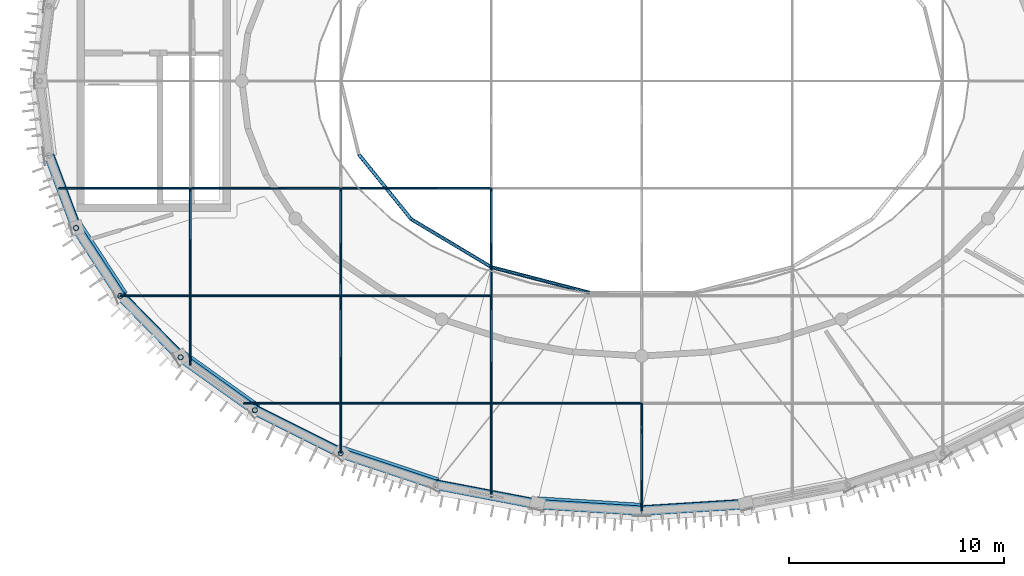
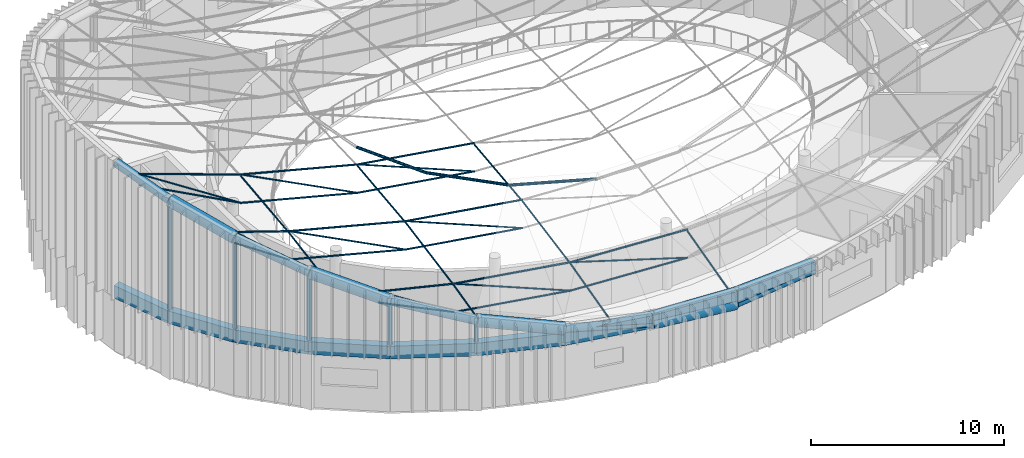
# One storey, part 4 of 36: 53 members, 9 beams.
"""IFC4 building model written with IfcOpenShell, lengths in metres."""

from ifc_helpers import new_model, si_unit, direction, frame, origin, origin_2d, place, context, subcontext, project, spatial, hollow_rectangle, circle, hollow_circle, extrude, material, material_profile, profile_set, type_object, element, save


model = new_model("IFC4")

# Units and contexts
model_context = context("Model", 3, precision=1e-05, world=origin(), true_north=direction((0.0, 1.0)))
body_context = subcontext(model_context, "Body", "Model", "MODEL_VIEW")
ifc_project = project(units=[si_unit("LENGTHUNIT", "METRE"), si_unit("AREAUNIT", "SQUARE_METRE"), si_unit("VOLUMEUNIT", "CUBIC_METRE"), si_unit("PLANEANGLEUNIT", "RADIAN"), si_unit("MASSUNIT", "GRAM", prefix="KILO")], contexts=[model_context])

# Site, building, storey
site_placement = place(None, origin())
site = spatial("IfcSite", under=ifc_project, at=site_placement, CompositionType="ELEMENT")
building_placement = place(site_placement, origin())
building = spatial("IfcBuilding", under=site, at=building_placement, Name="Tarnveldt Headland Concert Hall", CompositionType="ELEMENT")
storey_placement = place(building_placement, frame((0.0, 0.0, 22.800048828125)))
storey = spatial("IfcBuildingStorey", under=building, at=storey_placement, Name="L05", CompositionType="ELEMENT", Elevation=22.800048828125)

# Members
ifc_material = material(Name="Steel S355", Category="steel")
ifc_material_profile_1 = material_profile(ifc_material, circle(Radius=0.0458984375, at=origin_2d()), Name="LC D92", Category="steel")
ifc_profile_set_1 = profile_set([ifc_material_profile_1], Name="Steel S355")
member_type_1 = type_object("IfcMemberType", Name="CB-HOG92", PredefinedType="USERDEFINED", material=ifc_profile_set_1)
member_1_placement = place(storey_placement, frame((62.5, 41.271240234375, 8.510009765625), z_axis=(0.0, 0.985161412941, 0.171630389067), x_axis=(-1.0, 0.0, 0.0)))
element("IfcMember", 1, at=member_1_placement, inside=storey, type_object=member_type_1, Name="ROOF TRUSS CABLE prestress chord 53", ObjectType="CABLE", PredefinedType="USERDEFINED", context=body_context, shape_type="SweptSolid", body=[
    extrude(circle(Radius=0.0458984375, at=origin_2d()), origin(), (0.0, 0.0, 1.0), 3.27734375),
])
member_2_placement = place(storey_placement, frame((62.5, 44.5, 9.072509765625), z_axis=(0.0, 0.993731316159, 0.111794773068), x_axis=(-1.0, 0.0, 0.0)))
element("IfcMember", 2, at=member_2_placement, inside=storey, type_object=member_type_1, Name="ROOF TRUSS CABLE prestress chord 54", ObjectType="CABLE", PredefinedType="USERDEFINED", context=body_context, shape_type="SweptSolid", body=[
    extrude(circle(Radius=0.0458984375, at=origin_2d()), origin(), (0.0, 0.0, 1.0), 5.031494140625),
])
member_3_placement = place(storey_placement, frame((69.5, 37.179443359375, 5.760009765625), z_axis=(0.0, 0.971855780858, 0.235576614318), x_axis=(-1.0, 0.0, 0.0)))
element("IfcMember", 3, at=member_3_placement, inside=storey, type_object=member_type_1, Name="ROOF TRUSS CABLE prestress chord 59", ObjectType="CABLE", PredefinedType="USERDEFINED", context=body_context, shape_type="SweptSolid", body=[
    extrude(circle(Radius=0.0458984375, at=origin_2d()), origin(), (0.0, 0.0, 1.0), 2.3876953125),
])
member_4_placement = place(storey_placement, frame((69.5, 39.5, 6.322509765625), z_axis=(0.0, 0.982872186934, 0.18428853505), x_axis=(-1.0, 0.0, 0.0)))
element("IfcMember", 4, at=member_4_placement, inside=storey, type_object=member_type_1, Name="ROOF TRUSS CABLE prestress chord 60", ObjectType="CABLE", PredefinedType="USERDEFINED", context=body_context, shape_type="SweptSolid", body=[
    extrude(circle(Radius=0.0458984375, at=origin_2d()), origin(), (0.0, 0.0, 1.0), 5.087158203125),
])
member_5_placement = place(storey_placement, frame((69.5, 44.5, 7.260009765625), z_axis=(0.0, 0.993731316159, 0.111794773068), x_axis=(-1.0, 0.0, 0.0)))
element("IfcMember", 5, at=member_5_placement, inside=storey, type_object=member_type_1, Name="ROOF TRUSS CABLE prestress chord 61", ObjectType="CABLE", PredefinedType="USERDEFINED", context=body_context, shape_type="SweptSolid", body=[
    extrude(circle(Radius=0.0458984375, at=origin_2d()), origin(), (0.0, 0.0, 1.0), 5.031494140625),
])
member_6_placement = place(storey_placement, frame((76.5, 35.135009765625, 4.10986328125), z_axis=(0.0, 0.968355058126, 0.249576604276), x_axis=(-1.0, 0.0, 0.0)))
element("IfcMember", 6, at=member_6_placement, inside=storey, type_object=member_type_1, Name="ROOF TRUSS CABLE prestress chord 67", ObjectType="CABLE", PredefinedType="USERDEFINED", context=body_context, shape_type="SweptSolid", body=[
    extrude(circle(Radius=0.0458984375, at=origin_2d()), origin(), (0.0, 0.0, 1.0), 4.507568359375),
])
member_7_placement = place(storey_placement, frame((76.5, 39.5, 5.23486328125), z_axis=(0.0, 0.982872186934, 0.18428853505), x_axis=(-1.0, 0.0, 0.0)))
element("IfcMember", 7, at=member_7_placement, inside=storey, type_object=member_type_1, Name="ROOF TRUSS CABLE prestress chord 68", ObjectType="CABLE", PredefinedType="USERDEFINED", context=body_context, shape_type="SweptSolid", body=[
    extrude(circle(Radius=0.0458984375, at=origin_2d()), origin(), (0.0, 0.0, 1.0), 5.087158203125),
])
member_8_placement = place(storey_placement, frame((76.5, 44.5, 6.17236328125), z_axis=(0.0, 0.993731316159, 0.111794773068), x_axis=(-1.0, 0.0, 0.0)))
element("IfcMember", 8, at=member_8_placement, inside=storey, type_object=member_type_1, Name="ROOF TRUSS CABLE prestress chord 69", ObjectType="CABLE", PredefinedType="USERDEFINED", context=body_context, shape_type="SweptSolid", body=[
    extrude(circle(Radius=0.0458984375, at=origin_2d()), origin(), (0.0, 0.0, 1.0), 5.031494140625),
])
member_9_placement = place(storey_placement, frame((83.5, 34.5, 3.56005859375), z_axis=(0.0, 0.967230965379, 0.253898128412), x_axis=(-1.0, 0.0, 0.0)))
element("IfcMember", 9, at=member_9_placement, inside=storey, type_object=member_type_1, Name="ROOF TRUSS CABLE prestress chord 75", ObjectType="CABLE", PredefinedType="USERDEFINED", context=body_context, shape_type="SweptSolid", body=[
    extrude(circle(Radius=0.0458984375, at=origin_2d()), origin(), (0.0, 0.0, 1.0), 5.16943359375),
])
ifc_material_profile_2 = material_profile(ifc_material, circle(Radius=0.053955078125, at=origin_2d()), Name="LC D108", Category="steel")
ifc_profile_set_2 = profile_set([ifc_material_profile_2], Name="Steel S355")
member_type_2 = type_object("IfcMemberType", Name="CB-SAG108", PredefinedType="USERDEFINED", material=ifc_profile_set_2)
member_10_placement = place(storey_placement, frame((56.38916015625, 49.5, 11.909912109375), z_axis=(0.942102430183, 0.0, -0.335325231742), x_axis=(0.0, 1.0, 0.0)))
element("IfcMember", 10, at=member_10_placement, inside=storey, type_object=member_type_2, Name="ROOF TRUSS CABLE sag chord 15", ObjectType="CABLE", PredefinedType="USERDEFINED", context=body_context, shape_type="SweptSolid", body=[
    extrude(circle(Radius=0.053955078125, at=origin_2d()), origin(), (0.0, 0.0, 1.0), 6.486328125),
])
member_11_placement = place(storey_placement, frame((62.5, 49.5, 9.73486328125), z_axis=(0.968074621179, 0.0, -0.250662178698), x_axis=(0.0, 1.0, 0.0)))
element("IfcMember", 11, at=member_11_placement, inside=storey, type_object=member_type_2, Name="ROOF TRUSS CABLE sag chord 16", ObjectType="CABLE", PredefinedType="USERDEFINED", context=body_context, shape_type="SweptSolid", body=[
    extrude(circle(Radius=0.053955078125, at=origin_2d()), origin(), (0.0, 0.0, 1.0), 7.23095703125),
])
member_12_placement = place(storey_placement, frame((69.5, 49.5, 7.92236328125), z_axis=(0.988148319322, 0.0, -0.153502114058), x_axis=(0.0, 1.0, 0.0)))
element("IfcMember", 12, at=member_12_placement, inside=storey, type_object=member_type_2, Name="ROOF TRUSS CABLE sag chord 17", ObjectType="CABLE", PredefinedType="USERDEFINED", context=body_context, shape_type="SweptSolid", body=[
    extrude(circle(Radius=0.053955078125, at=origin_2d()), origin(), (0.0, 0.0, 1.0), 7.083984375),
])
ifc_material_profile_3 = material_profile(ifc_material, circle(Radius=0.031982421875, at=origin_2d()), Name="LC D64", Category="steel")
ifc_profile_set_3 = profile_set([ifc_material_profile_3], Name="Steel S355")
member_type_3 = type_object("IfcMemberType", Name="CB-STAY64", PredefinedType="USERDEFINED", material=ifc_profile_set_3)
member_13_placement = place(storey_placement, frame((64.979736328125, 39.5, 7.510009765625), z_axis=(0.84273813245, 0.0, -0.538323731703), x_axis=(0.0, 1.0, 0.0)))
element("IfcMember", 13, at=member_13_placement, inside=storey, type_object=member_type_3, Name="ROOF TRUSS CABLE diagonal 1", ObjectType="CABLE", PredefinedType="USERDEFINED", context=body_context, shape_type="SweptSolid", body=[
    extrude(circle(Radius=0.031982421875, at=origin_2d()), origin(), (0.0, 0.0, 1.0), 5.36376953125),
])
member_14_placement = place(storey_placement, frame((69.5, 39.5, 6.42236328125), z_axis=(0.924440874248, 0.0, -0.381325412239), x_axis=(0.0, 1.0, 0.0)))
element("IfcMember", 14, at=member_14_placement, inside=storey, type_object=member_type_3, Name="ROOF TRUSS CABLE diagonal 2", ObjectType="CABLE", PredefinedType="USERDEFINED", context=body_context, shape_type="SweptSolid", body=[
    extrude(circle(Radius=0.031982421875, at=origin_2d()), origin(), (0.0, 0.0, 1.0), 7.572265625),
])
member_15_placement = place(storey_placement, frame((76.5, 39.5, 5.3349609375), z_axis=(0.955442632118, 0.0, -0.2951768567), x_axis=(0.0, 1.0, 0.0)))
element("IfcMember", 15, at=member_15_placement, inside=storey, type_object=member_type_3, Name="ROOF TRUSS CABLE diagonal 3", ObjectType="CABLE", PredefinedType="USERDEFINED", context=body_context, shape_type="SweptSolid", body=[
    extrude(circle(Radius=0.031982421875, at=origin_2d()), origin(), (0.0, 0.0, 1.0), 7.326416015625),
])
member_16_placement = place(storey_placement, frame((59.251220703125, 44.5, 10.260009765625), z_axis=(0.747449604511, 0.0, -0.664318514507), x_axis=(0.0, 1.0, 0.0)))
element("IfcMember", 16, at=member_16_placement, inside=storey, type_object=member_type_3, Name="ROOF TRUSS CABLE diagonal 7", ObjectType="CABLE", PredefinedType="USERDEFINED", context=body_context, shape_type="SweptSolid", body=[
    extrude(circle(Radius=0.031982421875, at=origin_2d()), origin(), (0.0, 0.0, 1.0), 4.346435546875),
])
member_17_placement = place(storey_placement, frame((62.5, 44.5, 9.17236328125), z_axis=(0.888651623271, 0.0, -0.458582917757), x_axis=(0.0, 1.0, 0.0)))
element("IfcMember", 17, at=member_17_placement, inside=storey, type_object=member_type_3, Name="ROOF TRUSS CABLE diagonal 8", ObjectType="CABLE", PredefinedType="USERDEFINED", context=body_context, shape_type="SweptSolid", body=[
    extrude(circle(Radius=0.031982421875, at=origin_2d()), origin(), (0.0, 0.0, 1.0), 7.877197265625),
])
member_18_placement = place(storey_placement, frame((69.5, 44.5, 7.35986328125), z_axis=(0.924440874248, 0.0, -0.381325412239), x_axis=(0.0, 1.0, 0.0)))
element("IfcMember", 18, at=member_18_placement, inside=storey, type_object=member_type_3, Name="ROOF TRUSS CABLE diagonal 9", ObjectType="CABLE", PredefinedType="USERDEFINED", context=body_context, shape_type="SweptSolid", body=[
    extrude(circle(Radius=0.031982421875, at=origin_2d()), origin(), (0.0, 0.0, 1.0), 7.572265625),
])
member_19_placement = place(storey_placement, frame((56.38916015625, 49.5, 11.909912109375), z_axis=(0.838267585522, 0.0, -0.545259071509), x_axis=(0.0, 1.0, 0.0)))
element("IfcMember", 19, at=member_19_placement, inside=storey, type_object=member_type_3, Name="ROOF TRUSS CABLE diagonal 15", ObjectType="CABLE", PredefinedType="USERDEFINED", context=body_context, shape_type="SweptSolid", body=[
    extrude(circle(Radius=0.031982421875, at=origin_2d()), origin(), (0.0, 0.0, 1.0), 7.289794921875),
])
member_20_placement = place(storey_placement, frame((62.5, 49.5, 9.73486328125), z_axis=(0.888651623271, 0.0, -0.458582917757), x_axis=(0.0, 1.0, 0.0)))
element("IfcMember", 20, at=member_20_placement, inside=storey, type_object=member_type_3, Name="ROOF TRUSS CABLE diagonal 16", ObjectType="CABLE", PredefinedType="USERDEFINED", context=body_context, shape_type="SweptSolid", body=[
    extrude(circle(Radius=0.031982421875, at=origin_2d()), origin(), (0.0, 0.0, 1.0), 7.877197265625),
])
member_21_placement = place(storey_placement, frame((69.5, 49.5, 7.92236328125), z_axis=(0.924440874248, 0.0, -0.381325412239), x_axis=(0.0, 1.0, 0.0)))
element("IfcMember", 21, at=member_21_placement, inside=storey, type_object=member_type_3, Name="ROOF TRUSS CABLE diagonal 17", ObjectType="CABLE", PredefinedType="USERDEFINED", context=body_context, shape_type="SweptSolid", body=[
    extrude(circle(Radius=0.031982421875, at=origin_2d()), origin(), (0.0, 0.0, 1.0), 7.572265625),
])
ifc_material_profile_4 = material_profile(ifc_material, circle(Radius=0.0419921875, at=origin_2d()), Name="LC D84", Category="steel")
ifc_profile_set_4 = profile_set([ifc_material_profile_4], Name="Steel S355")
member_type_4 = type_object("IfcMemberType", Name="CB-STAY84", PredefinedType="USERDEFINED", material=ifc_profile_set_4)
member_22_placement = place(storey_placement, frame((64.979736328125, 39.5, 7.510009765625), z_axis=(0.972251290422, 0.0, -0.233938941336), x_axis=(0.0, 1.0, 0.0)))
element("IfcMember", 22, at=member_22_placement, inside=storey, type_object=member_type_4, Name="ROOF TRUSS CABLE sag chord 1", ObjectType="CABLE", PredefinedType="USERDEFINED", context=body_context, shape_type="SweptSolid", body=[
    extrude(circle(Radius=0.0419921875, at=origin_2d()), origin(), (0.0, 0.0, 1.0), 4.649169921875),
])
member_23_placement = place(storey_placement, frame((69.5, 39.5, 6.42236328125), z_axis=(0.988148319322, 0.0, -0.153502114058), x_axis=(0.0, 1.0, 0.0)))
element("IfcMember", 23, at=member_23_placement, inside=storey, type_object=member_type_4, Name="ROOF TRUSS CABLE sag chord 2", ObjectType="CABLE", PredefinedType="USERDEFINED", context=body_context, shape_type="SweptSolid", body=[
    extrude(circle(Radius=0.0419921875, at=origin_2d()), origin(), (0.0, 0.0, 1.0), 7.083984375),
])
member_24_placement = place(storey_placement, frame((76.5, 39.5, 5.3349609375), z_axis=(0.99866145102, 0.0, -0.05172336268), x_axis=(0.0, 1.0, 0.0)))
element("IfcMember", 24, at=member_24_placement, inside=storey, type_object=member_type_4, Name="ROOF TRUSS CABLE sag chord 3", ObjectType="CABLE", PredefinedType="USERDEFINED", context=body_context, shape_type="SweptSolid", body=[
    extrude(circle(Radius=0.0419921875, at=origin_2d()), origin(), (0.0, 0.0, 1.0), 7.00927734375),
])
member_25_placement = place(storey_placement, frame((59.251220703125, 44.5, 10.260009765625), z_axis=(0.948269174357, 0.0, -0.317467436068), x_axis=(0.0, 1.0, 0.0)))
element("IfcMember", 25, at=member_25_placement, inside=storey, type_object=member_type_4, Name="ROOF TRUSS CABLE sag chord 7", ObjectType="CABLE", PredefinedType="USERDEFINED", context=body_context, shape_type="SweptSolid", body=[
    extrude(circle(Radius=0.0419921875, at=origin_2d()), origin(), (0.0, 0.0, 1.0), 3.426025390625),
])
member_26_placement = place(storey_placement, frame((62.5, 44.5, 9.17236328125), z_axis=(0.968074621179, 0.0, -0.250662178698), x_axis=(0.0, 1.0, 0.0)))
element("IfcMember", 26, at=member_26_placement, inside=storey, type_object=member_type_4, Name="ROOF TRUSS CABLE sag chord 8", ObjectType="CABLE", PredefinedType="USERDEFINED", context=body_context, shape_type="SweptSolid", body=[
    extrude(circle(Radius=0.0419921875, at=origin_2d()), origin(), (0.0, 0.0, 1.0), 7.23095703125),
])
member_27_placement = place(storey_placement, frame((69.5, 44.5, 7.35986328125), z_axis=(0.988148319322, 0.0, -0.153502114058), x_axis=(0.0, 1.0, 0.0)))
element("IfcMember", 27, at=member_27_placement, inside=storey, type_object=member_type_4, Name="ROOF TRUSS CABLE sag chord 9", ObjectType="CABLE", PredefinedType="USERDEFINED", context=body_context, shape_type="SweptSolid", body=[
    extrude(circle(Radius=0.0419921875, at=origin_2d()), origin(), (0.0, 0.0, 1.0), 7.083984375),
])
ifc_material_profile_5 = material_profile(ifc_material, circle(Radius=0.0380859375, at=origin_2d()), Name="LC D76", Category="steel")
ifc_profile_set_5 = profile_set([ifc_material_profile_5], Name="Steel S355")
member_type_5 = type_object("IfcMemberType", Name="CB-TIE76", PredefinedType="USERDEFINED", material=ifc_profile_set_5)
member_28_placement = place(storey_placement, frame((64.979736328125, 39.5, 6.81005859375), z_axis=(0.900137729445, 0.0, -0.435605404041), x_axis=(0.0, 1.0, 0.0)))
element("IfcMember", 28, at=member_28_placement, inside=storey, type_object=member_type_5, Name="ROOF TRUSS CABLE lower chord 1", ObjectType="CABLE", PredefinedType="USERDEFINED", context=body_context, shape_type="SweptSolid", body=[
    extrude(circle(Radius=0.0380859375, at=origin_2d()), origin(), (0.0, 0.0, 1.0), 5.021728515625),
])
member_29_placement = place(storey_placement, frame((69.5, 39.5, 4.62255859375), z_axis=(0.988143091198, 0.0, -0.1535357656), x_axis=(0.0, 1.0, 0.0)))
element("IfcMember", 29, at=member_29_placement, inside=storey, type_object=member_type_5, Name="ROOF TRUSS CABLE lower chord 2", ObjectType="CABLE", PredefinedType="USERDEFINED", context=body_context, shape_type="SweptSolid", body=[
    extrude(circle(Radius=0.0380859375, at=origin_2d()), origin(), (0.0, 0.0, 1.0), 7.083984375),
])
member_30_placement = place(storey_placement, frame((76.5, 39.5, 3.534912109375), z_axis=(0.99866145102, 0.0, -0.05172336268), x_axis=(0.0, 1.0, 0.0)))
element("IfcMember", 30, at=member_30_placement, inside=storey, type_object=member_type_5, Name="ROOF TRUSS CABLE lower chord 3", ObjectType="CABLE", PredefinedType="USERDEFINED", context=body_context, shape_type="SweptSolid", body=[
    extrude(circle(Radius=0.0380859375, at=origin_2d()), origin(), (0.0, 0.0, 1.0), 7.00927734375),
])
member_31_placement = place(storey_placement, frame((59.251220703125, 44.5, 9.56005859375), z_axis=(0.829490559876, 0.0, -0.558520734688), x_axis=(0.0, 1.0, 0.0)))
element("IfcMember", 31, at=member_31_placement, inside=storey, type_object=member_type_5, Name="ROOF TRUSS CABLE lower chord 7", ObjectType="CABLE", PredefinedType="USERDEFINED", context=body_context, shape_type="SweptSolid", body=[
    extrude(circle(Radius=0.0380859375, at=origin_2d()), origin(), (0.0, 0.0, 1.0), 3.91650390625),
])
member_32_placement = place(storey_placement, frame((62.5, 44.5, 7.37255859375), z_axis=(0.968074621179, 0.0, -0.250662178698), x_axis=(0.0, 1.0, 0.0)))
element("IfcMember", 32, at=member_32_placement, inside=storey, type_object=member_type_5, Name="ROOF TRUSS CABLE lower chord 8", ObjectType="CABLE", PredefinedType="USERDEFINED", context=body_context, shape_type="SweptSolid", body=[
    extrude(circle(Radius=0.0380859375, at=origin_2d()), origin(), (0.0, 0.0, 1.0), 7.23095703125),
])
member_33_placement = place(storey_placement, frame((69.5, 44.5, 5.56005859375), z_axis=(0.988143091198, 0.0, -0.1535357656), x_axis=(0.0, 1.0, 0.0)))
element("IfcMember", 33, at=member_33_placement, inside=storey, type_object=member_type_5, Name="ROOF TRUSS CABLE lower chord 9", ObjectType="CABLE", PredefinedType="USERDEFINED", context=body_context, shape_type="SweptSolid", body=[
    extrude(circle(Radius=0.0380859375, at=origin_2d()), origin(), (0.0, 0.0, 1.0), 7.083984375),
])
member_34_placement = place(storey_placement, frame((56.38916015625, 49.5, 11.2099609375), z_axis=(0.881405622385, 0.0, -0.472360168545), x_axis=(0.0, 1.0, 0.0)))
element("IfcMember", 34, at=member_34_placement, inside=storey, type_object=member_type_5, Name="ROOF TRUSS CABLE lower chord 15", ObjectType="CABLE", PredefinedType="USERDEFINED", context=body_context, shape_type="SweptSolid", body=[
    extrude(circle(Radius=0.0380859375, at=origin_2d()), origin(), (0.0, 0.0, 1.0), 6.93310546875),
])
member_35_placement = place(storey_placement, frame((62.5, 49.5, 7.93505859375), z_axis=(0.968074621179, 0.0, -0.250662178698), x_axis=(0.0, 1.0, 0.0)))
element("IfcMember", 35, at=member_35_placement, inside=storey, type_object=member_type_5, Name="ROOF TRUSS CABLE lower chord 16", ObjectType="CABLE", PredefinedType="USERDEFINED", context=body_context, shape_type="SweptSolid", body=[
    extrude(circle(Radius=0.0380859375, at=origin_2d()), origin(), (0.0, 0.0, 1.0), 7.23095703125),
])
member_36_placement = place(storey_placement, frame((69.5, 49.5, 6.12255859375), z_axis=(0.988143091198, 0.0, -0.1535357656), x_axis=(0.0, 1.0, 0.0)))
element("IfcMember", 36, at=member_36_placement, inside=storey, type_object=member_type_5, Name="ROOF TRUSS CABLE lower chord 17", ObjectType="CABLE", PredefinedType="USERDEFINED", context=body_context, shape_type="SweptSolid", body=[
    extrude(circle(Radius=0.0380859375, at=origin_2d()), origin(), (0.0, 0.0, 1.0), 7.083984375),
])
ifc_material_profile_6 = material_profile(ifc_material, hollow_circle(Radius=0.084228515625, WallThickness=0.010009765625, at=origin_2d()), Name="CHS 168.3x10", Category="steel")
ifc_profile_set_6 = profile_set([ifc_material_profile_6], Name="Steel S355")
member_type_6 = type_object("IfcMemberType", Name="PR-CHS168", PredefinedType="PURLIN", material=ifc_profile_set_6)
member_37_placement = place(storey_placement, frame((70.34423828125, 51.079833984375, 7.7724609375), z_axis=(0.619876647106, -0.766909047234, -0.166142877197), x_axis=(0.77771801274, 0.628613309324, 0.0)))
element("IfcMember", 37, at=member_37_placement, inside=storey, type_object=member_type_6, Name="Saddle roof ring purlin 11", PredefinedType="PURLIN", context=body_context, shape_type="SweptSolid", body=[
    extrude(hollow_circle(Radius=0.084228515625, WallThickness=0.010009765625, at=origin_2d()), origin(), (0.0, 0.0, 1.0), 3.921875),
])
member_38_placement = place(storey_placement, frame((72.775390625, 48.072021484375, 7.120849609375), z_axis=(0.845510150532, -0.506774044079, -0.168204202076), x_axis=(0.51409883539, 0.857730952834, 0.0)))
element("IfcMember", 38, at=member_38_placement, inside=storey, type_object=member_type_6, Name="Saddle roof ring purlin 12", PredefinedType="PURLIN", context=body_context, shape_type="SweptSolid", body=[
    extrude(hollow_circle(Radius=0.084228515625, WallThickness=0.010009765625, at=origin_2d()), origin(), (0.0, 0.0, 1.0), 4.4052734375),
])
member_39_placement = place(storey_placement, frame((76.5, 45.839599609375, 6.3798828125), z_axis=(0.962790907549, -0.250292709481, -0.101917750767), x_axis=(0.251602848607, 0.967830567079, 0.0)))
element("IfcMember", 39, at=member_39_placement, inside=storey, type_object=member_type_6, Name="Saddle roof ring purlin 13", PredefinedType="PURLIN", context=body_context, shape_type="SweptSolid", body=[
    extrude(hollow_circle(Radius=0.084228515625, WallThickness=0.010009765625, at=origin_2d()), origin(), (0.0, 0.0, 1.0), 4.745361328125),
])

# Beams
ifc_material_profile_7 = material_profile(ifc_material, hollow_rectangle(XDim=0.449951171875, YDim=0.800048828125, WallThickness=0.028076171875, at=origin_2d()), Name="RHS 800x450x28", Category="steel")
ifc_profile_set_7 = profile_set([ifc_material_profile_7], Name="Steel S355")
beam_type = type_object("IfcBeamType", Name="RB-01", PredefinedType="BEAM", material=ifc_profile_set_7)
beam_1_placement = place(storey_placement, frame((55.92529296875, 51.027099609375, 3.800048828125), z_axis=(0.351279653979, -0.936270583058, 0.0), x_axis=(0.936270583058, 0.351279653979, 0.0)))
element("IfcBeam", 40, at=beam_1_placement, inside=storey, type_object=beam_type, Name="Compression RING BEAM chord 20", PredefinedType="BEAM", context=body_context, shape_type="SweptSolid", body=[
    extrude(hollow_rectangle(XDim=0.449951171875, YDim=0.800048828125, WallThickness=0.028076171875, at=origin_2d()), origin(), (0.0, 0.0, 1.0), 3.5966796875),
])
beam_2_placement = place(storey_placement, frame((57.188720703125, 47.65966796875, 3.800048828125), z_axis=(0.546611158382, -0.837386554425, 0.0), x_axis=(0.837386554425, 0.546611158382, 0.0)))
element("IfcBeam", 41, at=beam_2_placement, inside=storey, type_object=beam_type, Name="Compression RING BEAM chord 21", PredefinedType="BEAM", context=body_context, shape_type="SweptSolid", body=[
    extrude(hollow_rectangle(XDim=0.449951171875, YDim=0.800048828125, WallThickness=0.028076171875, at=origin_2d()), origin(), (0.0, 0.0, 1.0), 3.773193359375),
])
beam_3_placement = place(storey_placement, frame((59.251220703125, 44.5, 3.800048828125), z_axis=(0.700051268358, -0.714092586203, 0.0), x_axis=(0.714092586203, 0.700051268358, 0.0)))
element("IfcBeam", 42, at=beam_3_placement, inside=storey, type_object=beam_type, Name="Compression RING BEAM chord 22", PredefinedType="BEAM", context=body_context, shape_type="SweptSolid", body=[
    extrude(hollow_rectangle(XDim=0.449951171875, YDim=0.800048828125, WallThickness=0.028076171875, at=origin_2d()), origin(), (0.0, 0.0, 1.0), 3.9990234375),
])
beam_4_placement = place(storey_placement, frame((62.05078125, 41.644287109375, 3.800048828125), z_axis=(0.813737360708, -0.581232748378, 0.0), x_axis=(0.581232748378, 0.813737360708, 0.0)))
element("IfcBeam", 43, at=beam_4_placement, inside=storey, type_object=beam_type, Name="Compression RING BEAM chord 23", PredefinedType="BEAM", context=body_context, shape_type="SweptSolid", body=[
    extrude(hollow_rectangle(XDim=0.449951171875, YDim=0.800048828125, WallThickness=0.028076171875, at=origin_2d()), origin(), (0.0, 0.0, 1.0), 4.2412109375),
])
beam_5_placement = place(storey_placement, frame((65.501953125, 39.17919921875, 3.800048828125), z_axis=(0.894361644392, -0.447344664705, 0.0), x_axis=(0.447344664705, 0.894361644392, 0.0)))
element("IfcBeam", 44, at=beam_5_placement, inside=storey, type_object=beam_type, Name="Compression RING BEAM chord 24", PredefinedType="BEAM", context=body_context, shape_type="SweptSolid", body=[
    extrude(hollow_rectangle(XDim=0.449951171875, YDim=0.800048828125, WallThickness=0.028076171875, at=origin_2d()), origin(), (0.0, 0.0, 1.0), 4.47021484375),
])
beam_6_placement = place(storey_placement, frame((69.5, 37.179443359375, 3.800048828125), z_axis=(0.948751350732, -0.316023534699, 0.0), x_axis=(0.316023534699, 0.948751350732, 0.0)))
element("IfcBeam", 45, at=beam_6_placement, inside=storey, type_object=beam_type, Name="Compression RING BEAM chord 25", PredefinedType="BEAM", context=body_context, shape_type="SweptSolid", body=[
    extrude(hollow_rectangle(XDim=0.449951171875, YDim=0.800048828125, WallThickness=0.028076171875, at=origin_2d()), origin(), (0.0, 0.0, 1.0), 4.662353515625),
])
beam_7_placement = place(storey_placement, frame((73.92333984375, 35.7060546875, 3.800048828125), z_axis=(0.982172578083, -0.187981453503, 0.0), x_axis=(0.187981453503, 0.982172578083, 0.0)))
element("IfcBeam", 46, at=beam_7_placement, inside=storey, type_object=beam_type, Name="Compression RING BEAM chord 26", PredefinedType="BEAM", context=body_context, shape_type="SweptSolid", body=[
    extrude(hollow_rectangle(XDim=0.449951171875, YDim=0.800048828125, WallThickness=0.028076171875, at=origin_2d()), origin(), (0.0, 0.0, 1.0), 4.80029296875),
])
for number, where, z_axis, x_axis, name in (
    (47, (78.637939453125, 34.8037109375, 3.800048828125), (0.998054722924, -0.06234396562, 0.0), (0.06234396562, 0.998054722924, 0.0), "Compression RING BEAM chord 27"),
    (48, (83.5, 34.5, 3.800048828125), (0.998054722924, 0.06234396562, 0.0), (-0.06234396562, 0.998054722924, 0.0), "Compression RING BEAM chord 28"),
):
    element("IfcBeam", number, at=place(storey_placement, frame(where, z_axis=z_axis, x_axis=x_axis)), inside=storey, type_object=beam_type, Name=name, PredefinedType="BEAM", context=body_context, shape_type="SweptSolid", body=[
        extrude(hollow_rectangle(XDim=0.449951171875, YDim=0.800048828125, WallThickness=0.028076171875, at=origin_2d()), origin(), (0.0, 0.0, 1.0), 4.87158203125),
    ])

# Members
ifc_material_profile_8 = material_profile(ifc_material, hollow_circle(Radius=0.25390625, WallThickness=0.02490234375, at=origin_2d()), Name="CHS 508x25", Category="steel")
ifc_profile_set_8 = profile_set([ifc_material_profile_8], Name="Steel S355")
member_type_7 = type_object("IfcMemberType", Name="SR-CHS508", PredefinedType="CHORD", material=ifc_profile_set_8)
member_40_placement = place(storey_placement, frame((55.92529296875, 51.027099609375, 11.8544921875), z_axis=(0.343614502846, -0.915840548358, -0.207762276213), x_axis=(0.936270583058, 0.351279653979, 0.0)))
element("IfcMember", 49, at=member_40_placement, inside=storey, type_object=member_type_7, Name="Saddle boundary arch RING BEAM rib 20", PredefinedType="CHORD", context=body_context, shape_type="SweptSolid", body=[
    extrude(hollow_circle(Radius=0.25390625, WallThickness=0.02490234375, at=origin_2d()), origin(), (0.0, 0.0, 1.0), 3.6767578125),
])
member_41_placement = place(storey_placement, frame((59.251220703125, 44.5, 9.919921875), z_axis=(0.658859988915, -0.672075110346, -0.337962366338), x_axis=(0.714092586203, 0.700051268358, 0.0)))
element("IfcMember", 50, at=member_41_placement, inside=storey, type_object=member_type_7, Name="Saddle boundary arch RING BEAM rib 22", PredefinedType="CHORD", context=body_context, shape_type="SweptSolid", body=[
    extrude(hollow_circle(Radius=0.25390625, WallThickness=0.02490234375, at=origin_2d()), origin(), (0.0, 0.0, 1.0), 4.2490234375),
])
member_42_placement = place(storey_placement, frame((65.501953125, 39.17919921875, 6.9560546875), z_axis=(0.851504460205, -0.425908221393, -0.305846924458), x_axis=(0.447344664705, 0.894361644392, 0.0)))
element("IfcMember", 51, at=member_42_placement, inside=storey, type_object=member_type_7, Name="Saddle boundary arch RING BEAM rib 24", PredefinedType="CHORD", context=body_context, shape_type="SweptSolid", body=[
    extrude(hollow_circle(Radius=0.25390625, WallThickness=0.02490234375, at=origin_2d()), origin(), (0.0, 0.0, 1.0), 4.6953125),
])
member_43_placement = place(storey_placement, frame((73.92333984375, 35.7060546875, 4.349365234375), z_axis=(0.969958737495, -0.185643803727, -0.157214584867), x_axis=(0.187981453503, 0.982172578083, 0.0)))
element("IfcMember", 52, at=member_43_placement, inside=storey, type_object=member_type_7, Name="Saddle boundary arch RING BEAM rib 26", PredefinedType="CHORD", context=body_context, shape_type="SweptSolid", body=[
    extrude(hollow_circle(Radius=0.25390625, WallThickness=0.02490234375, at=origin_2d()), origin(), (0.0, 0.0, 1.0), 4.860595703125),
])
member_44_placement = place(storey_placement, frame((83.5, 34.5, 3.320068359375), z_axis=(0.996579802575, 0.062251834015, 0.054345250595), x_axis=(-0.06234396562, 0.998054722924, 0.0)))
element("IfcMember", 53, at=member_44_placement, inside=storey, type_object=member_type_7, Name="Saddle boundary arch RING BEAM rib 28", PredefinedType="CHORD", context=body_context, shape_type="SweptSolid", body=[
    extrude(hollow_circle(Radius=0.25390625, WallThickness=0.02490234375, at=origin_2d()), origin(), (0.0, 0.0, 1.0), 4.878662109375),
])
ifc_material_profile_9 = material_profile(ifc_material, hollow_circle(Radius=0.35546875, WallThickness=0.028076171875, at=origin_2d()), Name="CHS 711x28", Category="steel")
ifc_profile_set_9 = profile_set([ifc_material_profile_9], Name="Steel S355")
member_type_8 = type_object("IfcMemberType", Name="SR-CHS711", PredefinedType="CHORD", material=ifc_profile_set_9)
member_45_placement = place(storey_placement, frame((57.188720703125, 47.65966796875, 11.090576171875), z_axis=(0.52206257762, -0.799779105061, -0.296317478656), x_axis=(0.837386554425, 0.546611158382, 0.0)))
element("IfcMember", 54, at=member_45_placement, inside=storey, type_object=member_type_8, Name="Saddle boundary arch RING BEAM rib 21", PredefinedType="CHORD", context=body_context, shape_type="SweptSolid", body=[
    extrude(hollow_circle(Radius=0.35546875, WallThickness=0.028076171875, at=origin_2d()), origin(), (0.0, 0.0, 1.0), 3.95068359375),
])
member_46_placement = place(storey_placement, frame((62.05078125, 41.644287109375, 8.48388671875), z_axis=(0.76557639291, -0.546832543804, -0.338920279204), x_axis=(0.581232748378, 0.813737360708, 0.0)))
element("IfcMember", 55, at=member_46_placement, inside=storey, type_object=member_type_8, Name="Saddle boundary arch RING BEAM rib 23", PredefinedType="CHORD", context=body_context, shape_type="SweptSolid", body=[
    extrude(hollow_circle(Radius=0.35546875, WallThickness=0.028076171875, at=origin_2d()), origin(), (0.0, 0.0, 1.0), 4.508056640625),
])
member_47_placement = place(storey_placement, frame((69.5, 37.179443359375, 5.52001953125), z_axis=(0.920187353059, -0.306509033873, -0.243531204212), x_axis=(0.316023534699, 0.948751350732, 0.0)))
element("IfcMember", 56, at=member_47_placement, inside=storey, type_object=member_type_8, Name="Saddle boundary arch RING BEAM rib 25", PredefinedType="CHORD", context=body_context, shape_type="SweptSolid", body=[
    extrude(hollow_circle(Radius=0.35546875, WallThickness=0.028076171875, at=origin_2d()), origin(), (0.0, 0.0, 1.0), 4.806884765625),
])
member_48_placement = place(storey_placement, frame((78.637939453125, 34.8037109375, 3.585205078125), z_axis=(0.996579802575, -0.062251834015, -0.054345250595), x_axis=(0.06234396562, 0.998054722924, 0.0)))
element("IfcMember", 57, at=member_48_placement, inside=storey, type_object=member_type_8, Name="Saddle boundary arch RING BEAM rib 27", PredefinedType="CHORD", context=body_context, shape_type="SweptSolid", body=[
    extrude(hollow_circle(Radius=0.35546875, WallThickness=0.028076171875, at=origin_2d()), origin(), (0.0, 0.0, 1.0), 4.878662109375),
])
ifc_material_profile_10 = material_profile(ifc_material, hollow_circle(Radius=0.122314453125, WallThickness=0.01611328125, at=origin_2d()), Name="CHS 244.5x16", Category="steel")
ifc_profile_set_10 = profile_set([ifc_material_profile_10], Name="Steel S355")
member_type_9 = type_object("IfcMemberType", Name="TR-CHORD244", PredefinedType="POST", material=ifc_profile_set_10)
member_49_placement = place(storey_placement, frame((57.188720703125, 47.65966796875, 3.849853515625), z_axis=(0.0, 0.0, 1.0), x_axis=(1.0, 0.0, 0.0)))
element("IfcMember", 58, at=member_49_placement, inside=storey, type_object=member_type_9, Name="Saddle ring pedestal strut 21", PredefinedType="POST", context=body_context, shape_type="SweptSolid", body=[
    extrude(hollow_circle(Radius=0.122314453125, WallThickness=0.01611328125, at=origin_2d()), origin(), (0.0, 0.0, 1.0), 7.24072265625),
])
member_50_placement = place(storey_placement, frame((59.251220703125, 44.5, 3.849853515625), z_axis=(0.0, 0.0, 1.0), x_axis=(1.0, 0.0, 0.0)))
element("IfcMember", 59, at=member_50_placement, inside=storey, type_object=member_type_9, Name="Saddle ring pedestal strut 22", PredefinedType="POST", context=body_context, shape_type="SweptSolid", body=[
    extrude(hollow_circle(Radius=0.122314453125, WallThickness=0.01611328125, at=origin_2d()), origin(), (0.0, 0.0, 1.0), 6.070068359375),
])
member_51_placement = place(storey_placement, frame((62.05078125, 41.644287109375, 3.849853515625), z_axis=(0.0, 0.0, 1.0), x_axis=(1.0, 0.0, 0.0)))
element("IfcMember", 60, at=member_51_placement, inside=storey, type_object=member_type_9, Name="Saddle ring pedestal strut 23", PredefinedType="POST", context=body_context, shape_type="SweptSolid", body=[
    extrude(hollow_circle(Radius=0.122314453125, WallThickness=0.01611328125, at=origin_2d()), origin(), (0.0, 0.0, 1.0), 4.634033203125),
])
member_52_placement = place(storey_placement, frame((65.501953125, 39.17919921875, 3.849853515625), z_axis=(0.0, 0.0, 1.0), x_axis=(1.0, 0.0, 0.0)))
element("IfcMember", 61, at=member_52_placement, inside=storey, type_object=member_type_9, Name="Saddle ring pedestal strut 24", PredefinedType="POST", context=body_context, shape_type="SweptSolid", body=[
    extrude(hollow_circle(Radius=0.122314453125, WallThickness=0.01611328125, at=origin_2d()), origin(), (0.0, 0.0, 1.0), 3.106201171875),
])
member_53_placement = place(storey_placement, frame((69.5, 37.179443359375, 3.849853515625), z_axis=(0.0, 0.0, 1.0), x_axis=(1.0, 0.0, 0.0)))
element("IfcMember", 62, at=member_53_placement, inside=storey, type_object=member_type_9, Name="Saddle ring pedestal strut 25", PredefinedType="POST", context=body_context, shape_type="SweptSolid", body=[
    extrude(hollow_circle(Radius=0.122314453125, WallThickness=0.01611328125, at=origin_2d()), origin(), (0.0, 0.0, 1.0), 1.670166015625),
])

save(model, "model.ifc")
